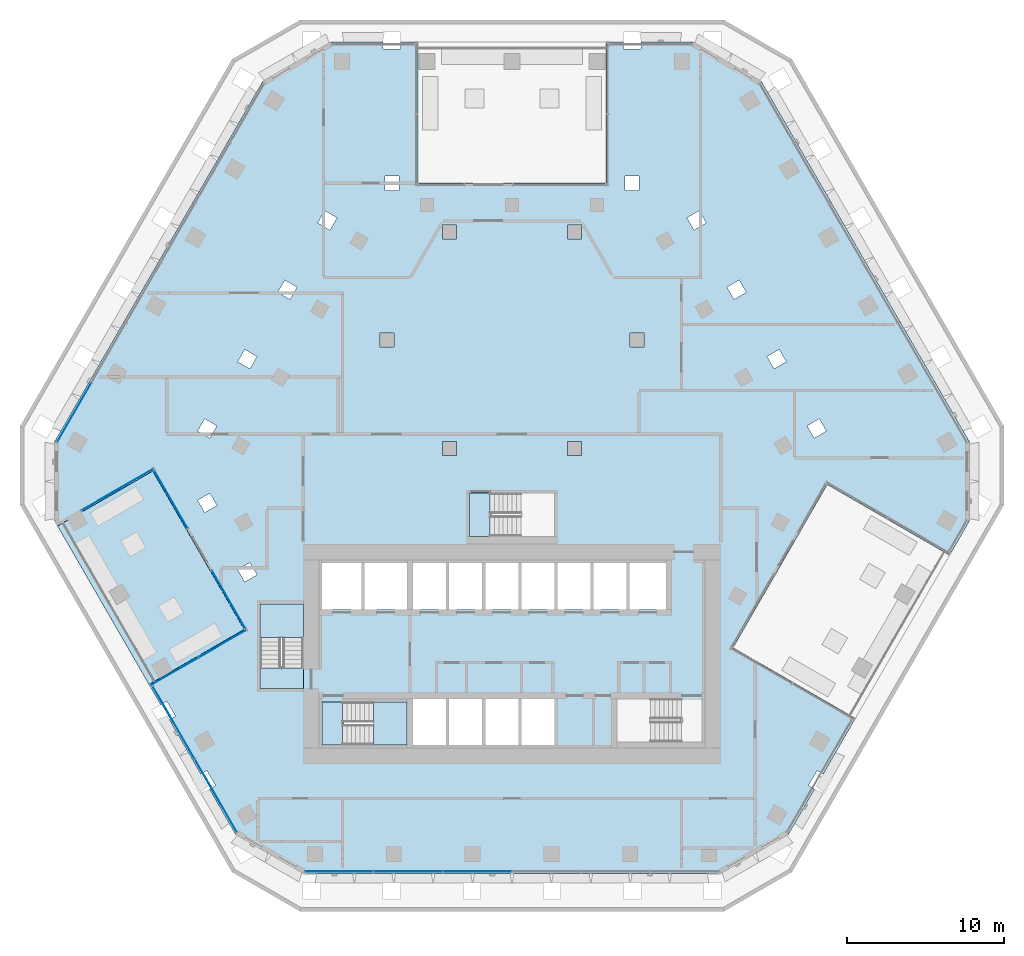
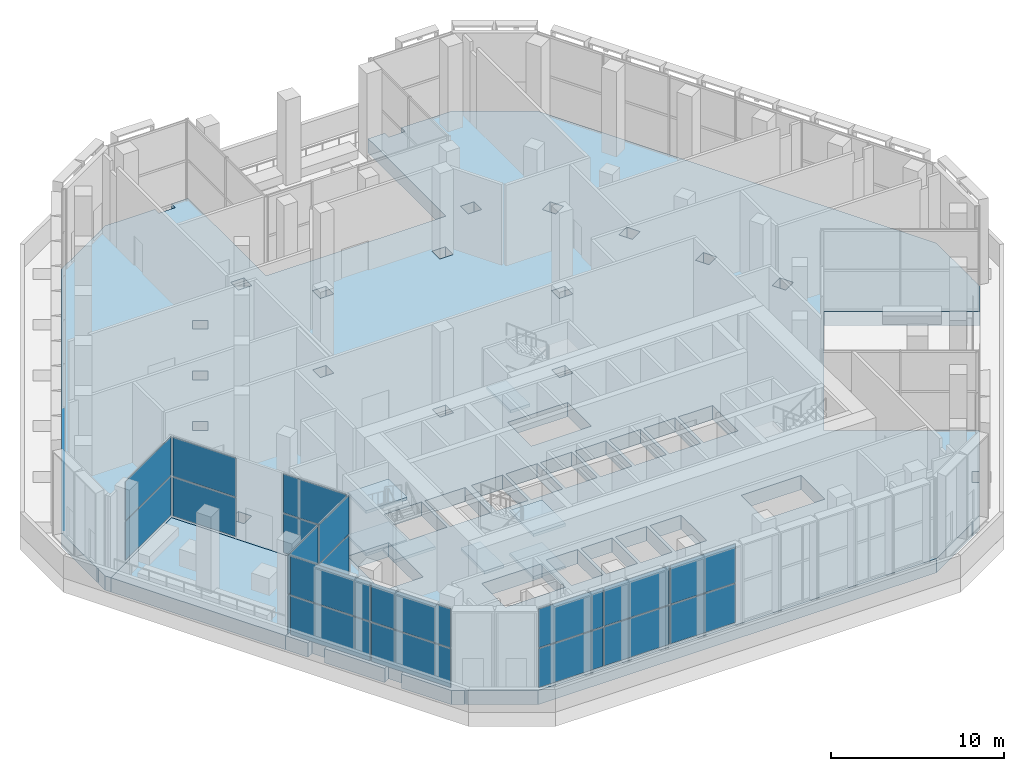
# One storey, part 6 of 23: 22 plates, 9 slabs, 10 elements without a shape of their own.
"""IFC4 building model written with IfcOpenShell, lengths in metres."""

from ifc_helpers import new_model, si_unit, direction, frame, origin, origin_2d, place, context, subcontext, project, spatial, polyline, rectangle, outline, extrude, material, layer, layer_set, type_object, element, aggregate, save


model = new_model("IFC4")

# Units and contexts
model_context = context("Model", 3, precision=1e-05, world=origin(), true_north=direction((0.0, 1.0)))
body_context = subcontext(model_context, "Body", "Model", "MODEL_VIEW")
ifc_project = project(units=[si_unit("LENGTHUNIT", "METRE"), si_unit("AREAUNIT", "SQUARE_METRE"), si_unit("VOLUMEUNIT", "CUBIC_METRE"), si_unit("PLANEANGLEUNIT", "RADIAN"), si_unit("MASSUNIT", "GRAM", prefix="KILO")], contexts=[model_context])

# Site, building, storey
site_placement = place(None, origin())
site = spatial("IfcSite", under=ifc_project, at=site_placement, CompositionType="ELEMENT")
building_placement = place(site_placement, origin())
building = spatial("IfcBuilding", under=site, at=building_placement, Name="Beryl Residences", CompositionType="ELEMENT")
storey_placement = place(building_placement, frame((0.0, 0.0, 66.0)))
storey = spatial("IfcBuildingStorey", under=building, at=storey_placement, Name="L20", CompositionType="ELEMENT", Elevation=66.0)

# Curtain wall, plates
ifc_material_1 = material(Name="Aluminium and clear glass", Category="aluminium")
curtain_wall_type = type_object("IfcCurtainWallType", Name="CW3 sky garden glazing glazed wall", PredefinedType="NOTDEFINED", material=ifc_material_1)
curtain_wall_1_placement = place(storey_placement, origin())
curtain_wall_1 = element("IfcCurtainWall", 1, at=curtain_wall_1_placement, inside=storey, type_object=curtain_wall_type, Name="CW3 L20 NW", PredefinedType="NOTDEFINED")
ifc_material_2 = material(Name="Clear laminated glass", Category="glass")
ifc_layer_1 = layer(ifc_material_2, 0.028076171875)
ifc_layer_set_1 = layer_set([ifc_layer_1], Name="CW3-P glazing panel 28 mm")
plate_type = type_object("IfcPlateType", Name="CW3-P glazing panel 28 mm", PredefinedType="CURTAIN_PANEL", material=ifc_layer_set_1)
plate_1_placement = place(storey_placement, frame((-27.893798828125, 3.38818359375, 0.080078125), z_axis=(0.0, 0.0, 1.0), x_axis=(-0.500010149942, -0.866019543634, 0.0)))
plate_1 = element("IfcPlate", 2, at=plate_1_placement, type_object=plate_type, Name="CW3 panel 6.1", PredefinedType="CURTAIN_PANEL", context=body_context, shape_type="SweptSolid", body=[
    extrude(rectangle(XDim=4.29296875, YDim=0.028076171875, at=origin_2d()), origin(), (0.0, 0.0, 1.0), 2.72998046875),
])
plate_2_placement = place(storey_placement, frame((-27.893798828125, 3.38818359375, 2.889892578125), z_axis=(0.0, 0.0, 1.0), x_axis=(-0.500010149942, -0.866019543634, 0.0)))
plate_2 = element("IfcPlate", 3, at=plate_2_placement, type_object=plate_type, Name="CW3 panel 6.2", PredefinedType="CURTAIN_PANEL", context=body_context, shape_type="SweptSolid", body=[
    extrude(rectangle(XDim=4.29296875, YDim=0.028076171875, at=origin_2d()), origin(), (0.0, 0.0, 1.0), 2.72998046875),
])
aggregate(curtain_wall_1, [plate_1, plate_2])

curtain_wall_2_placement = place(storey_placement, origin())
curtain_wall_2 = element("IfcCurtainWall", 4, at=curtain_wall_2_placement, inside=storey, type_object=curtain_wall_type, Name="CW3 L20 SW", PredefinedType="NOTDEFINED")
plate_3_placement = place(storey_placement, frame((-21.552001953125, -16.372314453125, 0.080078125), z_axis=(0.0, 0.0, 1.0), x_axis=(0.50003146918, -0.866007234283, 0.0)))
plate_3 = element("IfcPlate", 5, at=plate_3_placement, type_object=plate_type, Name="CW3 panel 1.1", PredefinedType="CURTAIN_PANEL", context=body_context, shape_type="SweptSolid", body=[
    extrude(rectangle(XDim=5.295654296875, YDim=0.028076171875, at=origin_2d()), origin(), (0.0, 0.0, 1.0), 2.72998046875),
])
plate_4_placement = place(storey_placement, frame((-21.552001953125, -16.372314453125, 2.889892578125), z_axis=(0.0, 0.0, 1.0), x_axis=(0.50003146918, -0.866007234283, 0.0)))
plate_4 = element("IfcPlate", 6, at=plate_4_placement, type_object=plate_type, Name="CW3 panel 1.2", PredefinedType="CURTAIN_PANEL", context=body_context, shape_type="SweptSolid", body=[
    extrude(rectangle(XDim=5.295654296875, YDim=0.028076171875, at=origin_2d()), origin(), (0.0, 0.0, 1.0), 2.72998046875),
])
plate_5_placement = place(storey_placement, frame((-18.864013671875, -21.027587890625, 0.080078125), z_axis=(0.0, 0.0, 1.0), x_axis=(0.50003146918, -0.866007234283, 0.0)))
plate_5 = element("IfcPlate", 7, at=plate_5_placement, type_object=plate_type, Name="CW3 panel 2.1", PredefinedType="CURTAIN_PANEL", context=body_context, shape_type="SweptSolid", body=[
    extrude(rectangle(XDim=5.295654296875, YDim=0.028076171875, at=origin_2d()), origin(), (0.0, 0.0, 1.0), 2.72998046875),
])
plate_6_placement = place(storey_placement, frame((-18.864013671875, -21.027587890625, 2.889892578125), z_axis=(0.0, 0.0, 1.0), x_axis=(0.50003146918, -0.866007234283, 0.0)))
plate_6 = element("IfcPlate", 8, at=plate_6_placement, type_object=plate_type, Name="CW3 panel 2.2", PredefinedType="CURTAIN_PANEL", context=body_context, shape_type="SweptSolid", body=[
    extrude(rectangle(XDim=5.295654296875, YDim=0.028076171875, at=origin_2d()), origin(), (0.0, 0.0, 1.0), 2.72998046875),
])
aggregate(curtain_wall_2, [plate_3, plate_4, plate_5, plate_6])

curtain_wall_3_placement = place(storey_placement, origin())
curtain_wall_3 = element("IfcCurtainWall", 9, at=curtain_wall_3_placement, inside=storey, type_object=curtain_wall_type, Name="CW3 L20 S", PredefinedType="NOTDEFINED")
plate_7_placement = place(storey_placement, frame((-11.012451171875, -25.85009765625, 0.080078125), z_axis=(0.0, 0.0, 1.0), x_axis=(1.0, 0.0, 0.0)))
plate_7 = element("IfcPlate", 10, at=plate_7_placement, type_object=plate_type, Name="CW3 panel 1.1", PredefinedType="CURTAIN_PANEL", context=body_context, shape_type="SweptSolid", body=[
    extrude(rectangle(XDim=4.29296875, YDim=0.028076171875, at=origin_2d()), origin(), (0.0, 0.0, 1.0), 2.72998046875),
])
plate_8_placement = place(storey_placement, frame((-11.012451171875, -25.85009765625, 2.889892578125), z_axis=(0.0, 0.0, 1.0), x_axis=(1.0, 0.0, 0.0)))
plate_8 = element("IfcPlate", 11, at=plate_8_placement, type_object=plate_type, Name="CW3 panel 1.2", PredefinedType="CURTAIN_PANEL", context=body_context, shape_type="SweptSolid", body=[
    extrude(rectangle(XDim=4.29296875, YDim=0.028076171875, at=origin_2d()), origin(), (0.0, 0.0, 1.0), 2.72998046875),
])
plate_9_placement = place(storey_placement, frame((-6.619384765625, -25.85009765625, 0.080078125), z_axis=(0.0, 0.0, 1.0), x_axis=(1.0, 0.0, 0.0)))
plate_9 = element("IfcPlate", 12, at=plate_9_placement, type_object=plate_type, Name="CW3 panel 2.1", PredefinedType="CURTAIN_PANEL", context=body_context, shape_type="SweptSolid", body=[
    extrude(rectangle(XDim=4.3330078125, YDim=0.028076171875, at=origin_2d()), origin(), (0.0, 0.0, 1.0), 2.72998046875),
])
plate_10_placement = place(storey_placement, frame((-6.619384765625, -25.85009765625, 2.889892578125), z_axis=(0.0, 0.0, 1.0), x_axis=(1.0, 0.0, 0.0)))
plate_10 = element("IfcPlate", 13, at=plate_10_placement, type_object=plate_type, Name="CW3 panel 2.2", PredefinedType="CURTAIN_PANEL", context=body_context, shape_type="SweptSolid", body=[
    extrude(rectangle(XDim=4.3330078125, YDim=0.028076171875, at=origin_2d()), origin(), (0.0, 0.0, 1.0), 2.72998046875),
])
plate_11_placement = place(storey_placement, frame((-2.20654296875, -25.85009765625, 0.080078125), z_axis=(0.0, 0.0, 1.0), x_axis=(1.0, 0.0, 0.0)))
plate_11 = element("IfcPlate", 14, at=plate_11_placement, type_object=plate_type, Name="CW3 panel 3.1", PredefinedType="CURTAIN_PANEL", context=body_context, shape_type="SweptSolid", body=[
    extrude(rectangle(XDim=4.3330078125, YDim=0.028076171875, at=origin_2d()), origin(), (0.0, 0.0, 1.0), 2.72998046875),
])
plate_12_placement = place(storey_placement, frame((-2.20654296875, -25.85009765625, 2.889892578125), z_axis=(0.0, 0.0, 1.0), x_axis=(1.0, 0.0, 0.0)))
plate_12 = element("IfcPlate", 15, at=plate_12_placement, type_object=plate_type, Name="CW3 panel 3.2", PredefinedType="CURTAIN_PANEL", context=body_context, shape_type="SweptSolid", body=[
    extrude(rectangle(XDim=4.3330078125, YDim=0.028076171875, at=origin_2d()), origin(), (0.0, 0.0, 1.0), 2.72998046875),
])
aggregate(curtain_wall_3, [plate_7, plate_8, plate_9, plate_10, plate_11, plate_12])

curtain_wall_4_placement = place(storey_placement, origin())
curtain_wall_4 = element("IfcCurtainWall", 16, at=curtain_wall_4_placement, inside=storey, type_object=curtain_wall_type, Name="CW3 L20 SW garden back", PredefinedType="NOTDEFINED")
plate_13_placement = place(storey_placement, frame((-21.73388671875, -2.156982421875, 0.080078125), z_axis=(0.0, 0.0, 1.0), x_axis=(0.499948064448, -0.866055386713, 0.0)))
plate_13 = element("IfcPlate", 17, at=plate_13_placement, type_object=plate_type, Name="CW3 panel 1.1", PredefinedType="CURTAIN_PANEL", context=body_context, shape_type="SweptSolid", body=[
    extrude(rectangle(XDim=4.1884765625, YDim=0.028076171875, at=origin_2d()), origin(), (0.0, 0.0, 1.0), 2.72998046875),
])
plate_14_placement = place(storey_placement, frame((-21.73388671875, -2.156982421875, 2.889892578125), z_axis=(0.0, 0.0, 1.0), x_axis=(0.499948064448, -0.866055386713, 0.0)))
plate_14 = element("IfcPlate", 18, at=plate_14_placement, type_object=plate_type, Name="CW3 panel 1.2", PredefinedType="CURTAIN_PANEL", context=body_context, shape_type="SweptSolid", body=[
    extrude(rectangle(XDim=4.1884765625, YDim=0.028076171875, at=origin_2d()), origin(), (0.0, 0.0, 1.0), 2.72998046875),
])
aggregate(curtain_wall_4, [plate_13, plate_14])

curtain_wall_5_placement = place(storey_placement, origin())
curtain_wall_5 = element("IfcCurtainWall", 19, at=curtain_wall_5_placement, inside=storey, type_object=curtain_wall_type, Name="CW3 L20 SW garden back", PredefinedType="NOTDEFINED")
plate_15_placement = place(storey_placement, frame((-18.0595703125, -8.521484375, 0.080078125), z_axis=(0.0, 0.0, 1.0), x_axis=(0.500020955207, -0.866013304952, 0.0)))
plate_15 = element("IfcPlate", 20, at=plate_15_placement, type_object=plate_type, Name="CW3 panel 1.1", PredefinedType="CURTAIN_PANEL", context=body_context, shape_type="SweptSolid", body=[
    extrude(rectangle(XDim=4.189697265625, YDim=0.028076171875, at=origin_2d()), origin(), (0.0, 0.0, 1.0), 2.72998046875),
])
plate_16_placement = place(storey_placement, frame((-18.0595703125, -8.521484375, 2.889892578125), z_axis=(0.0, 0.0, 1.0), x_axis=(0.500020955207, -0.866013304952, 0.0)))
plate_16 = element("IfcPlate", 21, at=plate_16_placement, type_object=plate_type, Name="CW3 panel 1.2", PredefinedType="CURTAIN_PANEL", context=body_context, shape_type="SweptSolid", body=[
    extrude(rectangle(XDim=4.189697265625, YDim=0.028076171875, at=origin_2d()), origin(), (0.0, 0.0, 1.0), 2.72998046875),
])
aggregate(curtain_wall_5, [plate_15, plate_16])

curtain_wall_6_placement = place(storey_placement, origin())
curtain_wall_6 = element("IfcCurtainWall", 22, at=curtain_wall_6_placement, inside=storey, type_object=curtain_wall_type, Name="CW3 L20 SW garden left", PredefinedType="NOTDEFINED")
plate_17_placement = place(storey_placement, frame((-25.139892578125, -1.527099609375, 0.080078125), z_axis=(0.0, 0.0, 1.0), x_axis=(0.866031967745, 0.499988630715, 0.0)))
plate_17 = element("IfcPlate", 23, at=plate_17_placement, type_object=plate_type, Name="CW3 panel 1.1", PredefinedType="CURTAIN_PANEL", context=body_context, shape_type="SweptSolid", body=[
    extrude(rectangle(XDim=5.260009765625, YDim=0.028076171875, at=origin_2d()), origin(), (0.0, 0.0, 1.0), 2.72998046875),
])
plate_18_placement = place(storey_placement, frame((-25.139892578125, -1.527099609375, 2.889892578125), z_axis=(0.0, 0.0, 1.0), x_axis=(0.866031967745, 0.499988630715, 0.0)))
plate_18 = element("IfcPlate", 24, at=plate_18_placement, type_object=plate_type, Name="CW3 panel 1.2", PredefinedType="CURTAIN_PANEL", context=body_context, shape_type="SweptSolid", body=[
    extrude(rectangle(XDim=5.260009765625, YDim=0.028076171875, at=origin_2d()), origin(), (0.0, 0.0, 1.0), 2.72998046875),
])
aggregate(curtain_wall_6, [plate_17, plate_18])

curtain_wall_7_placement = place(storey_placement, origin())
curtain_wall_7 = element("IfcCurtainWall", 25, at=curtain_wall_7_placement, inside=storey, type_object=curtain_wall_type, Name="CW3 L20 SW garden right", PredefinedType="NOTDEFINED")
plate_19_placement = place(storey_placement, frame((-21.51220703125, -13.113037109375, 0.080078125), z_axis=(0.0, 0.0, 1.0), x_axis=(0.866004557823, 0.500036104527, 0.0)))
plate_19 = element("IfcPlate", 26, at=plate_19_placement, type_object=plate_type, Name="CW3 panel 1.1", PredefinedType="CURTAIN_PANEL", context=body_context, shape_type="SweptSolid", body=[
    extrude(rectangle(XDim=3.4677734375, YDim=0.028076171875, at=origin_2d()), origin(), (0.0, 0.0, 1.0), 2.72998046875),
])
plate_20_placement = place(storey_placement, frame((-21.51220703125, -13.113037109375, 2.889892578125), z_axis=(0.0, 0.0, 1.0), x_axis=(0.866004557823, 0.500036104527, 0.0)))
plate_20 = element("IfcPlate", 27, at=plate_20_placement, type_object=plate_type, Name="CW3 panel 1.2", PredefinedType="CURTAIN_PANEL", context=body_context, shape_type="SweptSolid", body=[
    extrude(rectangle(XDim=3.4677734375, YDim=0.028076171875, at=origin_2d()), origin(), (0.0, 0.0, 1.0), 2.72998046875),
])
plate_21_placement = place(storey_placement, frame((-18.43994140625, -11.339111328125, 0.080078125), z_axis=(0.0, 0.0, 1.0), x_axis=(0.866004557823, 0.500036104527, 0.0)))
plate_21 = element("IfcPlate", 28, at=plate_21_placement, type_object=plate_type, Name="CW3 panel 2.1", PredefinedType="CURTAIN_PANEL", context=body_context, shape_type="SweptSolid", body=[
    extrude(rectangle(XDim=3.4677734375, YDim=0.028076171875, at=origin_2d()), origin(), (0.0, 0.0, 1.0), 2.72998046875),
])
plate_22_placement = place(storey_placement, frame((-18.43994140625, -11.339111328125, 2.889892578125), z_axis=(0.0, 0.0, 1.0), x_axis=(0.866004557823, 0.500036104527, 0.0)))
plate_22 = element("IfcPlate", 29, at=plate_22_placement, type_object=plate_type, Name="CW3 panel 2.2", PredefinedType="CURTAIN_PANEL", context=body_context, shape_type="SweptSolid", body=[
    extrude(rectangle(XDim=3.4677734375, YDim=0.028076171875, at=origin_2d()), origin(), (0.0, 0.0, 1.0), 2.72998046875),
])
aggregate(curtain_wall_7, [plate_19, plate_20, plate_21, plate_22])

# Slabs
ifc_material_3 = material(Name="Concrete C60/75", Category="concrete")
ifc_layer_2 = layer(ifc_material_3, 1.0)
ifc_layer_set_2 = layer_set([ifc_layer_2], Name="SL10 garden slab 1000 mm C60/75")
slab_type_1 = type_object("IfcSlabType", Name="SL10 garden slab 1000 mm C60/75", PredefinedType="FLOOR", material=ifc_layer_set_2)
slab_1_placement = place(storey_placement, frame((0.0, 0.0, -1.0)))
element("IfcSlab", 30, at=slab_1_placement, inside=storey, type_object=slab_type_1, Name="garden L20 SW 1", PredefinedType="FLOOR", context=body_context, shape_type="SweptSolid", body=[
    extrude(outline(polyline([(-23.133056640625, -13.93310546875), (-28.957275390625, -3.84619140625), (-22.89501953125, -0.345947265625), (-17.071044921875, -10.43310546875), (-23.133056640625, -13.93310546875)])), origin(), (0.0, 0.0, 1.0), 1.0),
])
ifc_material_4 = material(Name="Concrete C60/75", Category="concrete")
ifc_layer_3 = layer(ifc_material_4, 1.0)
ifc_layer_set_3 = layer_set([ifc_layer_3], Name="SL9 transfer plate 1000 mm C60/75")
slab_type_2 = type_object("IfcSlabType", Name="SL9 transfer plate 1000 mm C60/75", PredefinedType="FLOOR", material=ifc_layer_set_3)
slab_2_placement = place(storey_placement, frame((0.0, 0.0, -1.0)))
element("IfcSlab", 31, at=slab_2_placement, inside=storey, type_object=slab_type_2, Name="L20 slab 1", PredefinedType="FLOOR", context=body_context, shape_type="SweptSolid", body=[
    extrude(outline(polyline([(29.156982421875, 1.5), (29.156982421875, -2.597900390625), (29.097900390625, -2.699951171875), (29.156982421875, -2.734130859375), (29.156982421875, -3.5), (27.88330078125, -5.7060546875), (20.089111328125, -1.2060546875), (14.089111328125, -11.597900390625), (21.8828125, -16.097900390625), (26.0205078125, -8.931884765625), (19.829833984375, -19.65380859375), (19.44091796875, -19.428955078125), (18.89111328125, -20.381103515625), (19.280029296875, -20.605712890625), (17.60888671875, -23.5), (16.94677734375, -23.88232421875), (16.888916015625, -23.84912109375), (16.831298828125, -23.94921875), (13.279052734375, -26.0), (-13.279052734375, -26.0), (-16.83056640625, -23.949462890625), (-16.887939453125, -23.85009765625), (-16.9453125, -23.88330078125), (-17.60888671875, -23.5), (-19.279296875, -20.60693359375), (-18.889892578125, -20.382080078125), (-19.43994140625, -19.429931640625), (-19.8291015625, -19.65478515625), (-21.83154296875, -16.18701171875), (-21.44189453125, -15.9619140625), (-21.991943359375, -15.010009765625), (-22.38134765625, -15.23486328125), (-23.133056640625, -13.93310546875), (-17.071044921875, -10.43310546875), (-22.89501953125, -0.345947265625), (-28.957275390625, -3.84619140625), (-23.25048828125, -13.7294921875), (-29.156982421875, -3.5), (-29.156982421875, -2.735595703125), (-29.096923828125, -2.700927734375), (-29.156982421875, -2.59716796875), (-29.156982421875, 1.5), (-15.876953125, 24.5), (-12.326416015625, 26.550048828125), (-12.2109375, 26.550048828125), (-12.2109375, 26.61669921875), (-11.547119140625, 27.0), (-8.20703125, 27.0), (-8.20703125, 26.550048828125), (-7.10693359375, 26.550048828125), (-7.10693359375, 27.0), (-6.0, 27.0), (-6.0, 18.0), (6.0, 18.0), (6.0, 27.0), (7.10498046875, 27.0), (7.10498046875, 26.550048828125), (8.205078125, 26.550048828125), (8.205078125, 27.0), (11.547119140625, 27.0), (12.208984375, 26.617919921875), (12.208984375, 26.550048828125), (12.326416015625, 26.550048828125), (15.876953125, 24.5), (29.156982421875, 1.5)]), holes=[polyline([(20.031005859375, 2.2060546875), (19.5810546875, 2.986083984375), (18.801025390625, 2.535888671875), (19.2509765625, 1.756103515625), (20.031005859375, 2.2060546875)]), polyline([(17.029052734375, 7.406005859375), (16.2490234375, 6.9560546875), (16.698974609375, 6.176025390625), (17.47900390625, 6.6259765625), (17.029052734375, 7.406005859375)]), polyline([(14.927001953125, 11.0458984375), (14.47705078125, 11.825927734375), (13.697021484375, 11.3759765625), (14.14697265625, 10.595947265625), (14.927001953125, 11.0458984375)]), polyline([(12.375, 15.466064453125), (11.925048828125, 16.24609375), (11.14501953125, 15.7958984375), (11.594970703125, 15.01611328125), (12.375, 15.466064453125)]), polyline([(10.699951171875, -14.85009765625), (6.699951171875, -14.85009765625), (6.699951171875, -17.60009765625), (10.699951171875, -17.60009765625), (10.699951171875, -14.85009765625)]), polyline([(9.800048828125, -9.14990234375), (9.800048828125, -6.199951171875), (7.5, -6.199951171875), (7.5, -9.14990234375), (9.800048828125, -9.14990234375)]), polyline([(7.51708984375, 7.550048828125), (8.4169921875, 7.550048828125), (8.4169921875, 8.449951171875), (7.51708984375, 8.449951171875), (7.51708984375, 7.550048828125)]), polyline([(7.205078125, 18.449951171875), (7.205078125, 17.550048828125), (8.10498046875, 17.550048828125), (8.10498046875, 18.449951171875), (7.205078125, 18.449951171875)]), polyline([(5.199951171875, -6.199951171875), (5.199951171875, -9.14990234375), (7.300048828125, -9.14990234375), (7.300048828125, -6.199951171875), (5.199951171875, -6.199951171875)]), polyline([(2.89990234375, -6.199951171875), (2.89990234375, -9.14990234375), (5.0, -9.14990234375), (5.0, -6.199951171875), (2.89990234375, -6.199951171875)]), polyline([(4.43408203125, 14.449951171875), (4.43408203125, 15.35009765625), (3.533935546875, 15.35009765625), (3.533935546875, 14.449951171875), (4.43408203125, 14.449951171875)]), polyline([(3.533935546875, 0.64990234375), (4.43408203125, 0.64990234375), (4.43408203125, 1.550048828125), (3.533935546875, 1.550048828125), (3.533935546875, 0.64990234375)]), polyline([(2.699951171875, -1.75), (-1.300048828125, -1.75), (-1.300048828125, -4.5), (2.699951171875, -4.5), (2.699951171875, -1.75)]), polyline([(0.60009765625, -6.199951171875), (0.60009765625, -9.14990234375), (2.699951171875, -9.14990234375), (2.699951171875, -6.199951171875), (0.60009765625, -6.199951171875)]), polyline([(0.60009765625, -14.85009765625), (0.60009765625, -17.800048828125), (2.699951171875, -17.800048828125), (2.699951171875, -14.85009765625), (0.60009765625, -14.85009765625)]), polyline([(-1.699951171875, -14.85009765625), (-1.699951171875, -17.800048828125), (0.39990234375, -17.800048828125), (0.39990234375, -14.85009765625), (-1.699951171875, -14.85009765625)]), polyline([(-1.699951171875, -6.199951171875), (-1.699951171875, -9.14990234375), (0.39990234375, -9.14990234375), (0.39990234375, -6.199951171875), (-1.699951171875, -6.199951171875)]), polyline([(-4.0, -6.199951171875), (-4.0, -9.14990234375), (-1.89990234375, -9.14990234375), (-1.89990234375, -6.199951171875), (-4.0, -6.199951171875)]), polyline([(-4.0, -14.85009765625), (-4.0, -17.800048828125), (-1.89990234375, -17.800048828125), (-1.89990234375, -14.85009765625), (-4.0, -14.85009765625)]), polyline([(-4.43408203125, 14.449951171875), (-3.533935546875, 14.449951171875), (-3.533935546875, 15.35009765625), (-4.43408203125, 15.35009765625), (-4.43408203125, 14.449951171875)]), polyline([(-4.43408203125, 0.64990234375), (-3.533935546875, 0.64990234375), (-3.533935546875, 1.550048828125), (-4.43408203125, 1.550048828125), (-4.43408203125, 0.64990234375)]), polyline([(-6.300048828125, -6.199951171875), (-6.300048828125, -9.14990234375), (-4.199951171875, -9.14990234375), (-4.199951171875, -6.199951171875), (-6.300048828125, -6.199951171875)]), polyline([(-6.300048828125, -14.85009765625), (-6.300048828125, -17.800048828125), (-4.199951171875, -17.800048828125), (-4.199951171875, -14.85009765625), (-6.300048828125, -14.85009765625)]), polyline([(-9.39990234375, -6.199951171875), (-9.39990234375, -9.14990234375), (-6.699951171875, -9.14990234375), (-6.699951171875, -6.199951171875), (-9.39990234375, -6.199951171875)]), polyline([(-10.699951171875, -17.800048828125), (-6.699951171875, -17.800048828125), (-6.699951171875, -15.050048828125), (-10.699951171875, -15.050048828125), (-10.699951171875, -17.800048828125)]), polyline([(-7.20703125, 18.449951171875), (-8.10693359375, 18.449951171875), (-8.10693359375, 17.550048828125), (-7.20703125, 17.550048828125), (-7.20703125, 18.449951171875)]), polyline([(-7.51708984375, 7.550048828125), (-7.51708984375, 8.449951171875), (-8.4169921875, 8.449951171875), (-8.4169921875, 7.550048828125), (-7.51708984375, 7.550048828125)]), polyline([(-12.10009765625, -6.199951171875), (-12.10009765625, -9.14990234375), (-9.60009765625, -9.14990234375), (-9.60009765625, -6.199951171875), (-12.10009765625, -6.199951171875)]), polyline([(-11.926025390625, 16.2451171875), (-12.3759765625, 15.465087890625), (-11.595947265625, 15.014892578125), (-11.14599609375, 15.794921875), (-11.926025390625, 16.2451171875)]), polyline([(-13.300048828125, -12.800048828125), (-13.300048828125, -8.800048828125), (-16.050048828125, -8.800048828125), (-16.050048828125, -12.800048828125), (-13.300048828125, -12.800048828125)]), polyline([(-14.47802734375, 11.823974609375), (-14.927978515625, 11.0439453125), (-14.14794921875, 10.593994140625), (-13.697998046875, 11.3740234375), (-14.47802734375, 11.823974609375)]), polyline([(-17.47900390625, -6.6259765625), (-17.029052734375, -7.406005859375), (-16.2490234375, -6.9560546875), (-16.698974609375, -6.176025390625), (-17.47900390625, -6.6259765625)]), polyline([(-17.47998046875, 6.6240234375), (-16.699951171875, 6.174072265625), (-16.25, 6.9541015625), (-17.030029296875, 7.404052734375), (-17.47998046875, 6.6240234375)]), polyline([(-19.5810546875, -2.986083984375), (-18.801025390625, -2.535888671875), (-19.2509765625, -1.756103515625), (-20.031005859375, -2.2060546875), (-19.5810546875, -2.986083984375)]), polyline([(-19.58203125, 2.98388671875), (-20.031982421875, 2.2041015625), (-19.251953125, 1.75390625), (-18.802001953125, 2.533935546875), (-19.58203125, 2.98388671875)])]), origin(), (0.0, 0.0, 1.0), 1.0),
])

# Stair, slabs
ifc_material_5 = material(Name="Concrete C40/50", Category="concrete")
stair_type = type_object("IfcStairType", Name="ST1 protected exit stair, half-turn, 1300 mm flights", PredefinedType="HALF_TURN_STAIR", material=ifc_material_5)
stair_1_placement = place(storey_placement, origin())
stair_1 = element("IfcStair", 32, at=stair_1_placement, inside=storey, type_object=stair_type, Name="L20 PROTECTED EXIT STAIR ST-1", PredefinedType="HALF_TURN_STAIR")
ifc_material_6 = material(Name="Concrete C40/50", Category="concrete")
ifc_layer_4 = layer(ifc_material_6, 0.199951171875)
ifc_layer_set_4 = layer_set([ifc_layer_4], Name="SLD1 stair landing 200 mm")
slab_type_3 = type_object("IfcSlabType", Name="SLD1 stair landing 200 mm", PredefinedType="LANDING", material=ifc_layer_set_4)
slab_3_placement = place(storey_placement, frame((0.0, 0.0, 1.300048828125)))
slab_3 = element("IfcSlab", 33, at=slab_3_placement, type_object=slab_type_3, Name="ST-1 landing 1", PredefinedType="LANDING", context=body_context, shape_type="SweptSolid", body=[
    extrude(outline(polyline([(-8.840087890625, -17.800048828125), (-6.699951171875, -17.800048828125), (-6.699951171875, -15.050048828125), (-8.840087890625, -15.050048828125), (-8.840087890625, -17.800048828125)])), origin(), (0.0, 0.0, 1.0), 0.199951171875),
])
slab_4_placement = place(storey_placement, frame((0.0, 0.0, 2.800048828125)))
slab_4 = element("IfcSlab", 34, at=slab_4_placement, type_object=slab_type_3, Name="ST-1 landing 2", PredefinedType="LANDING", context=body_context, shape_type="SweptSolid", body=[
    extrude(outline(polyline([(-12.10009765625, -17.800048828125), (-10.800048828125, -17.800048828125), (-10.800048828125, -15.050048828125), (-12.10009765625, -15.050048828125), (-12.10009765625, -17.800048828125)])), origin(), (0.0, 0.0, 1.0), 0.199951171875),
])
slab_5_placement = place(storey_placement, frame((0.0, 0.0, 4.300048828125)))
slab_5 = element("IfcSlab", 35, at=slab_5_placement, type_object=slab_type_3, Name="ST-1 landing 3", PredefinedType="LANDING", context=body_context, shape_type="SweptSolid", body=[
    extrude(outline(polyline([(-8.840087890625, -17.800048828125), (-6.699951171875, -17.800048828125), (-6.699951171875, -15.050048828125), (-8.840087890625, -15.050048828125), (-8.840087890625, -17.800048828125)])), origin(), (0.0, 0.0, 1.0), 0.199951171875),
])
aggregate(stair_1, [slab_3, slab_4, slab_5])

stair_2_placement = place(storey_placement, origin())
stair_2 = element("IfcStair", 36, at=stair_2_placement, inside=storey, type_object=stair_type, Name="L20 PROTECTED EXIT STAIR ST-2", PredefinedType="HALF_TURN_STAIR")
slab_6_placement = place(storey_placement, frame((0.0, 0.0, 1.300048828125)))
slab_6 = element("IfcSlab", 37, at=slab_6_placement, type_object=slab_type_3, Name="ST-2 landing 1", PredefinedType="LANDING", context=body_context, shape_type="SweptSolid", body=[
    extrude(outline(polyline([(-13.300048828125, -10.93994140625), (-13.300048828125, -8.800048828125), (-16.050048828125, -8.800048828125), (-16.050048828125, -10.93994140625), (-13.300048828125, -10.93994140625)])), origin(), (0.0, 0.0, 1.0), 0.199951171875),
])
slab_7_placement = place(storey_placement, frame((0.0, 0.0, 2.800048828125)))
slab_7 = element("IfcSlab", 38, at=slab_7_placement, type_object=slab_type_3, Name="ST-2 landing 2", PredefinedType="LANDING", context=body_context, shape_type="SweptSolid", body=[
    extrude(outline(polyline([(-13.300048828125, -14.199951171875), (-13.300048828125, -12.89990234375), (-16.050048828125, -12.89990234375), (-16.050048828125, -14.199951171875), (-13.300048828125, -14.199951171875)])), origin(), (0.0, 0.0, 1.0), 0.199951171875),
])
slab_8_placement = place(storey_placement, frame((0.0, 0.0, 4.300048828125)))
slab_8 = element("IfcSlab", 39, at=slab_8_placement, type_object=slab_type_3, Name="ST-2 landing 3", PredefinedType="LANDING", context=body_context, shape_type="SweptSolid", body=[
    extrude(outline(polyline([(-13.300048828125, -10.93994140625), (-13.300048828125, -8.800048828125), (-16.050048828125, -8.800048828125), (-16.050048828125, -10.93994140625), (-13.300048828125, -10.93994140625)])), origin(), (0.0, 0.0, 1.0), 0.199951171875),
])
aggregate(stair_2, [slab_6, slab_7, slab_8])

# Stair, slab
stair_3_placement = place(storey_placement, origin())
stair_3 = element("IfcStair", 40, at=stair_3_placement, inside=storey, type_object=stair_type, Name="L20 PROTECTED EXIT STAIR ST-4", PredefinedType="HALF_TURN_STAIR")
slab_9_placement = place(storey_placement, frame((0.0, 0.0, 2.800048828125)))
slab_9 = element("IfcSlab", 41, at=slab_9_placement, type_object=slab_type_3, Name="ST-4 landing 2", PredefinedType="LANDING", context=body_context, shape_type="SweptSolid", body=[
    extrude(outline(polyline([(-2.699951171875, -4.5), (-1.39990234375, -4.5), (-1.39990234375, -1.75), (-2.699951171875, -1.75), (-2.699951171875, -4.5)])), origin(), (0.0, 0.0, 1.0), 0.199951171875),
])
aggregate(stair_3, [slab_9])

save(model, "model.ifc")
